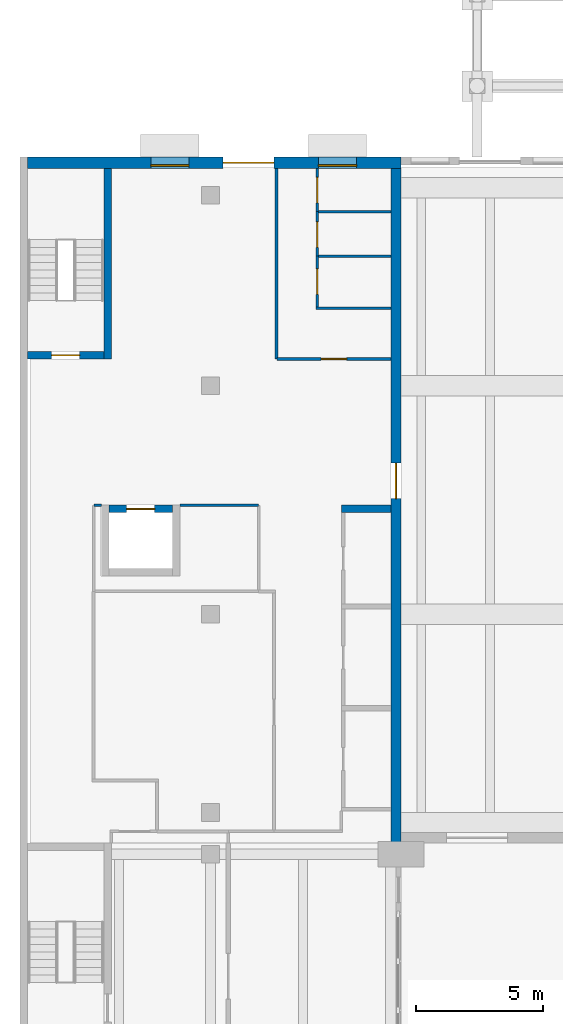
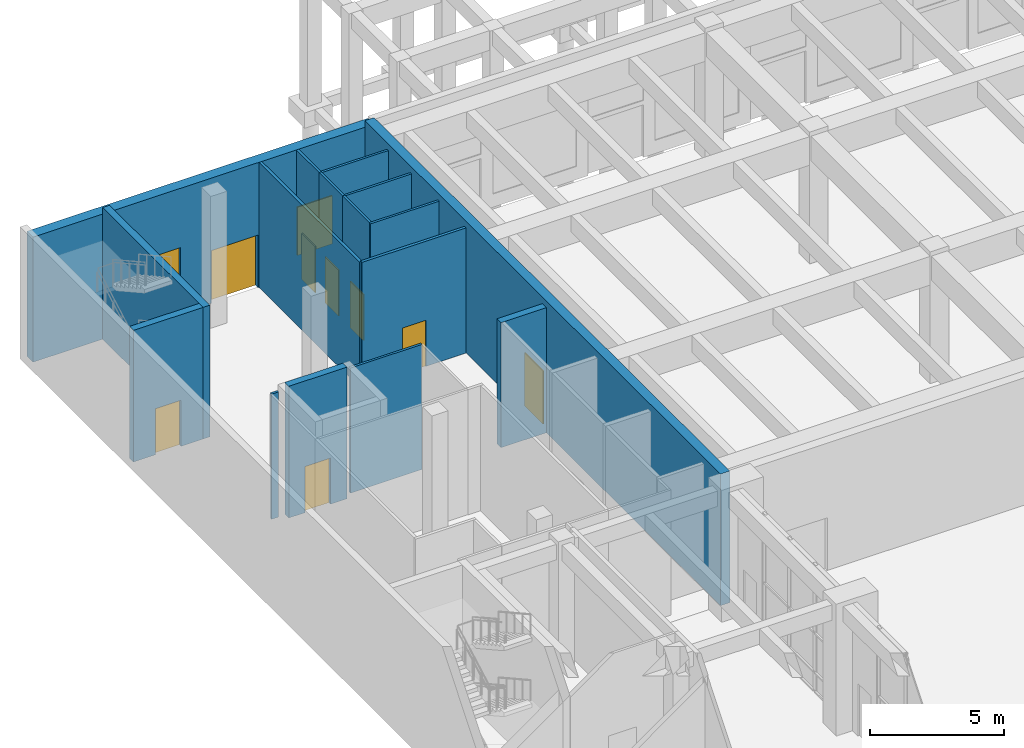
# One storey, part 38 of 51: 16 walls, 8 doors, 2 windows, 10 openings.
"""IFC4 building model written with IfcOpenShell, lengths in metres."""

from ifc_helpers import new_model, si_unit, direction, frame, frame_2d, origin, place, context, subcontext, project, spatial, rectangle, extrude, material, layer, layer_set, type_object, element, fill, save


model = new_model("IFC4")

# Units and contexts
model_context = context("Model", 3, precision=1e-05, world=origin(), true_north=direction((0.0, 1.0)))
body_context = subcontext(model_context, "Body", "Model", "MODEL_VIEW")
ifc_project = project(units=[si_unit("LENGTHUNIT", "METRE"), si_unit("AREAUNIT", "SQUARE_METRE"), si_unit("VOLUMEUNIT", "CUBIC_METRE"), si_unit("PLANEANGLEUNIT", "RADIAN"), si_unit("MASSUNIT", "GRAM", prefix="KILO")], contexts=[model_context])

# Site, building, storey
site_placement = place(None, origin())
site = spatial("IfcSite", under=ifc_project, at=site_placement, CompositionType="ELEMENT")
building_placement = place(site_placement, origin())
building = spatial("IfcBuilding", under=site, at=building_placement, Name="Elmora Arch Market Hall", CompositionType="ELEMENT")
storey_placement = place(building_placement, origin())
storey = spatial("IfcBuildingStorey", under=building, at=storey_placement, Name="L00", CompositionType="ELEMENT", Elevation=0.0)

# Wall
ifc_material_1 = material(Name="Blockwork", Category="masonry")
ifc_layer_1 = layer(ifc_material_1, 0.300048828125)
ifc_layer_set_1 = layer_set([ifc_layer_1], Name="Blockwork")
wall_type_1 = type_object("IfcWallType", Name="Blockwork partition 300 EI 120", PredefinedType="PARTITIONING", material=ifc_layer_set_1)
wall_1_placement = place(storey_placement, frame((12.64990234375, 112.14990234375, 0.0), z_axis=(0.0, 0.0, 1.0), x_axis=(1.0, 0.0, 0.0)))
element("IfcWall", 1, at=wall_1_placement, inside=storey, type_object=wall_type_1, Name="Riser wall L00 21", PredefinedType="PARTITIONING", context=body_context, shape_type="SweptSolid", body=[
    extrude(rectangle(XDim=1.9501953125, YDim=0.300048828125, at=frame_2d((0.97509765625, 0.0))), origin(), (0.0, 0.0, 1.0), 5.699951171875),
])

# Wall, openings, door, windows
ifc_material_2 = material(Name="Concrete C40/50", Category="concrete")
ifc_layer_2 = layer(ifc_material_2, 0.449951171875)
ifc_layer_set_2 = layer_set([ifc_layer_2], Name="Concrete C40/50")
wall_type_2 = type_object("IfcWallType", Name="Board-marked concrete wall 450", PredefinedType="SOLIDWALL", material=ifc_layer_set_2)
wall_2_placement = place(storey_placement, frame((0.300048828125, 125.77490234375, 0.0), z_axis=(0.0, 0.0, 1.0), x_axis=(1.0, 0.0, 0.0)))
wall_2 = element("IfcWall", 2, at=wall_2_placement, inside=storey, type_object=wall_type_2, Name="Facade wall north NW L00", PredefinedType="SOLIDWALL", context=body_context, shape_type="SweptSolid", body=[
    extrude(rectangle(XDim=14.699951171875, YDim=0.449951171875, at=frame_2d((7.35009765625, 0.0))), origin(), (0.0, 0.0, 1.0), 5.699951171875),
])
opening_1_placement = place(wall_2_placement, frame((4.85009765625, 0.0, 0.800048828125)))
opening_1 = element("IfcOpeningElement", 3, at=opening_1_placement, cuts=wall_2, Name="Opening WP2", PredefinedType="OPENING", context=body_context, shape_type="SweptSolid", body=[
    extrude(rectangle(XDim=1.5, YDim=2.199951171875, at=frame_2d((0.75, 1.10009765625))), frame((0.0, 0.23486328125, 0.0), z_axis=(0.0, -1.0, 0.0), x_axis=(1.0, 0.0, 0.0)), (0.0, 0.0, 1.0), 0.469970703125),
])
opening_2_placement = place(wall_2_placement, frame((11.449951171875, 0.0, 0.800048828125)))
opening_2 = element("IfcOpeningElement", 4, at=opening_2_placement, cuts=wall_2, Name="Opening WP2", PredefinedType="OPENING", context=body_context, shape_type="SweptSolid", body=[
    extrude(rectangle(XDim=1.5, YDim=2.199951171875, at=frame_2d((0.75, 1.10009765625))), frame((0.0, 0.23486328125, 0.0), z_axis=(0.0, -1.0, 0.0), x_axis=(1.0, 0.0, 0.0)), (0.0, 0.0, 1.0), 0.469970703125),
])
opening_3_placement = place(wall_2_placement, frame((7.699951171875, 0.0, 0.0)))
opening_3 = element("IfcOpeningElement", 5, at=opening_3_placement, cuts=wall_2, Name="Opening EX-PAV-W", PredefinedType="OPENING", context=body_context, shape_type="SweptSolid", body=[
    extrude(rectangle(XDim=2.0, YDim=2.39990234375, at=frame_2d((1.0, 1.199951171875))), frame((0.0, 0.23486328125, 0.0), z_axis=(0.0, -1.0, 0.0), x_axis=(1.0, 0.0, 0.0)), (0.0, 0.0, 1.0), 0.469970703125),
])
ifc_material_3 = material(Name="Glazed aluminium", Category="aluminium")
door_type_1 = type_object("IfcDoorType", Name="Pavilion entrance door 2000x2400", OperationType="DOUBLE_DOOR_DOUBLE_SWING", PredefinedType="DOOR", material=ifc_material_3)
door_1_placement = place(opening_3_placement, origin())
door_1 = element("IfcDoor", 6, at=door_1_placement, inside=storey, type_object=door_type_1, Name="Pavilion entrance W", OperationType="DOUBLE_DOOR_DOUBLE_SWING", OverallHeight=2.39990234375, OverallWidth=2.0, PredefinedType="DOOR", context=body_context, shape_type="SweptSolid", body=[
    extrude(rectangle(XDim=2.0, YDim=2.39990234375, at=frame_2d((1.0, 1.199951171875))), frame((0.0, 0.02490234375, 0.0), z_axis=(0.0, -1.0, 0.0), x_axis=(1.0, 0.0, 0.0)), (0.0, 0.0, 1.0), 0.050048828125),
])
fill(opening_3, door_1)
ifc_material_4 = material(Name="Aluminium", Category="aluminium")
window_type = type_object("IfcWindowType", Name="Pavilion window 1500x2200", PartitioningType="SINGLE_PANEL", PredefinedType="WINDOW", material=ifc_material_4)
window_1_placement = place(opening_1_placement, origin())
window_1 = element("IfcWindow", 7, at=window_1_placement, inside=storey, type_object=window_type, Name="Window WP2 L00 N31", OverallHeight=2.199951171875, OverallWidth=1.5, PartitioningType="SINGLE_PANEL", PredefinedType="WINDOW", context=body_context, shape_type="SweptSolid", body=[
    extrude(rectangle(XDim=1.5, YDim=2.199951171875, at=frame_2d((0.75, 1.10009765625))), frame((0.0, -0.074951171875, 0.0), z_axis=(0.0, -1.0, 0.0), x_axis=(1.0, 0.0, 0.0)), (0.0, 0.0, 1.0), 0.06005859375),
])
fill(opening_1, window_1)
window_2_placement = place(opening_2_placement, origin())
window_2 = element("IfcWindow", 8, at=window_2_placement, inside=storey, type_object=window_type, Name="Window WP2 L00 N32", OverallHeight=2.199951171875, OverallWidth=1.5, PartitioningType="SINGLE_PANEL", PredefinedType="WINDOW", context=body_context, shape_type="SweptSolid", body=[
    extrude(rectangle(XDim=1.5, YDim=2.199951171875, at=frame_2d((0.75, 1.10009765625))), frame((0.0, -0.074951171875, 0.0), z_axis=(0.0, -1.0, 0.0), x_axis=(1.0, 0.0, 0.0)), (0.0, 0.0, 1.0), 0.06005859375),
])
fill(opening_2, window_2)

# Wall, opening, door
ifc_material_5 = material(Name="Concrete C40/50", Category="concrete")
ifc_layer_3 = layer(ifc_material_5, 0.300048828125)
ifc_layer_set_3 = layer_set([ifc_layer_3], Name="Concrete C40/50")
wall_type_3 = type_object("IfcWallType", Name="Lift shaft wall 300", PredefinedType="SHEAR", material=ifc_layer_set_3)
wall_3_placement = place(storey_placement, frame((3.5, 112.14990234375, 0.0), z_axis=(0.0, 0.0, 1.0), x_axis=(1.0, 0.0, 0.0)))
wall_3 = element("IfcWall", 9, at=wall_3_placement, inside=storey, type_object=wall_type_3, Name="Lift shaft wall PL1 N L00", PredefinedType="SHEAR", context=body_context, shape_type="SweptSolid", body=[
    extrude(rectangle(XDim=2.5, YDim=0.300048828125, at=frame_2d((1.25, 0.0))), origin(), (0.0, 0.0, 1.0), 6.0),
])
opening_4_placement = place(wall_3_placement, frame((0.699951171875, 0.0, 0.0)))
opening_4 = element("IfcOpeningElement", 10, at=opening_4_placement, cuts=wall_3, Name="Opening LD-PL1-L00", PredefinedType="OPENING", context=body_context, shape_type="SweptSolid", body=[
    extrude(rectangle(XDim=1.10009765625, YDim=2.10009765625, at=frame_2d((0.550048828125, 1.050048828125))), frame((0.0, 0.159912109375, 0.0), z_axis=(0.0, -1.0, 0.0), x_axis=(1.0, 0.0, 0.0)), (0.0, 0.0, 1.0), 0.320068359375),
])
ifc_material_6 = material(Name="Stainless steel ASTM A240 Type 304", Category="steel")
door_type_2 = type_object("IfcDoorType", Name="Lift landing door 1100 x 2100 FD90", OperationType="SLIDING_TO_LEFT", PredefinedType="DOOR", material=ifc_material_6)
door_2_placement = place(opening_4_placement, origin())
door_2 = element("IfcDoor", 11, at=door_2_placement, inside=storey, type_object=door_type_2, Name="Landing door PL1 L00", OperationType="SLIDING_TO_LEFT", OverallHeight=2.10009765625, OverallWidth=1.10009765625, PredefinedType="DOOR", context=body_context, shape_type="SweptSolid", body=[
    extrude(rectangle(XDim=1.10009765625, YDim=2.10009765625, at=frame_2d((0.550048828125, 1.050048828125))), frame((0.0, 0.02490234375, 0.0), z_axis=(0.0, -1.0, 0.0), x_axis=(1.0, 0.0, 0.0)), (0.0, 0.0, 1.0), 0.050048828125),
])
fill(opening_4, door_2)

# Walls
ifc_material_7 = material(Name="Gypsum board on metal studs")
ifc_layer_4 = layer(ifc_material_7, 0.10009765625)
ifc_layer_set_4 = layer_set([ifc_layer_4], Name="Gypsum board on metal studs")
wall_type_4 = type_object("IfcWallType", Name="Partition 100", PredefinedType="PARTITIONING", material=ifc_layer_set_4)
wall_4_placement = place(storey_placement, frame((2.909912109375, 112.300048828125, 0.0), z_axis=(0.0, 0.0, 1.0), x_axis=(1.0, 0.0, 0.0)))
element("IfcWall", 12, at=wall_4_placement, inside=storey, type_object=wall_type_4, Name="Partition PT-L00-103", PredefinedType="PARTITIONING", context=body_context, shape_type="SweptSolid", body=[
    extrude(rectangle(XDim=0.2900390625, YDim=0.10009765625, at=frame_2d((0.14501953125, 0.0))), origin(), (0.0, 0.0, 1.0), 5.699951171875),
])
wall_5_placement = place(storey_placement, frame((6.300048828125, 112.300048828125, 0.0), z_axis=(0.0, 0.0, 1.0), x_axis=(1.0, 0.0, 0.0)))
element("IfcWall", 13, at=wall_5_placement, inside=storey, type_object=wall_type_4, Name="Partition PT-L00-104", PredefinedType="PARTITIONING", context=body_context, shape_type="SweptSolid", body=[
    extrude(rectangle(XDim=3.08984375, YDim=0.10009765625, at=frame_2d((1.544921875, 0.0))), origin(), (0.0, 0.0, 1.0), 5.699951171875),
])
wall_6_placement = place(storey_placement, frame((11.64990234375, 120.050048828125, 0.0), z_axis=(0.0, 0.0, 1.0), x_axis=(1.0, 0.0, 0.0)))
element("IfcWall", 14, at=wall_6_placement, inside=storey, type_object=wall_type_4, Name="Partition PT-L00-108", PredefinedType="PARTITIONING", context=body_context, shape_type="SweptSolid", body=[
    extrude(rectangle(XDim=2.9501953125, YDim=0.10009765625, at=frame_2d((1.47509765625, 0.0))), origin(), (0.0, 0.0, 1.0), 5.699951171875),
])
for number, where, z_axis, x_axis, name in (
    (15, (11.75, 122.10009765625, 0.0), (0.0, 0.0, 1.0), (1.0, 0.0, 0.0), "Partition PT-L00-110"),
    (16, (11.75, 123.85009765625, 0.0), (0.0, 0.0, 1.0), (1.0, 0.0, 0.0), "Partition PT-L00-112"),
):
    element("IfcWall", number, at=place(storey_placement, frame(where, z_axis=z_axis, x_axis=x_axis)), inside=storey, type_object=wall_type_4, Name=name, PredefinedType="PARTITIONING", context=body_context, shape_type="SweptSolid", body=[
        extrude(rectangle(XDim=2.85009765625, YDim=0.10009765625, at=frame_2d((1.425048828125, 0.0))), origin(), (0.0, 0.0, 1.0), 5.699951171875),
    ])

# Wall, opening, door
wall_7_placement = place(storey_placement, frame((11.699951171875, 120.10009765625, 0.0), z_axis=(0.0, 0.0, 1.0), x_axis=(0.0, 1.0, 0.0)))
wall_7 = element("IfcWall", 17, at=wall_7_placement, inside=storey, type_object=wall_type_4, Name="Partition PT-L00-168", PredefinedType="PARTITIONING", context=body_context, shape_type="SweptSolid", body=[
    extrude(rectangle(XDim=2.0, YDim=0.10009765625, at=frame_2d((1.0, 0.0))), origin(), (0.0, 0.0, 1.0), 5.699951171875),
])
opening_5_placement = place(wall_7_placement, frame((0.5, 0.0, 0.0)))
opening_5 = element("IfcOpeningElement", 18, at=opening_5_placement, cuts=wall_7, Name="Opening D-L00-089", PredefinedType="OPENING", context=body_context, shape_type="SweptSolid", body=[
    extrude(rectangle(XDim=1.0, YDim=2.10009765625, at=frame_2d((0.5, 1.050048828125))), frame((0.0, 0.06005859375, 0.0), z_axis=(0.0, -1.0, 0.0), x_axis=(1.0, 0.0, 0.0)), (0.0, 0.0, 1.0), 0.1201171875),
])
ifc_material_8 = material(Name="Timber door set", Category="wood")
door_type_3 = type_object("IfcDoorType", Name="Door 1000 x 2100", OperationType="SINGLE_SWING_LEFT", PredefinedType="DOOR", material=ifc_material_8)
door_3_placement = place(opening_5_placement, frame((1.0, 0.0, 0.0), z_axis=(0.0, 0.0, 1.0), x_axis=(-1.0, 0.0, 0.0)))
door_3 = element("IfcDoor", 19, at=door_3_placement, inside=storey, type_object=door_type_3, Name="D-L00-089", OperationType="SINGLE_SWING_LEFT", OverallHeight=2.10009765625, OverallWidth=1.0, PredefinedType="DOOR", context=body_context, shape_type="SweptSolid", body=[
    extrude(rectangle(XDim=1.0, YDim=2.10009765625, at=frame_2d((0.5, 1.050048828125))), frame((0.0, 0.02490234375, 0.0), z_axis=(0.0, -1.0, 0.0), x_axis=(1.0, 0.0, 0.0)), (0.0, 0.0, 1.0), 0.050048828125),
])
fill(opening_5, door_3)

wall_8_placement = place(storey_placement, frame((11.699951171875, 122.10009765625, 0.0), z_axis=(0.0, 0.0, 1.0), x_axis=(0.0, 1.0, 0.0)))
wall_8 = element("IfcWall", 20, at=wall_8_placement, inside=storey, type_object=wall_type_4, Name="Partition PT-L00-169", PredefinedType="PARTITIONING", context=body_context, shape_type="SweptSolid", body=[
    extrude(rectangle(XDim=1.75, YDim=0.10009765625, at=frame_2d((0.875, 0.0))), origin(), (0.0, 0.0, 1.0), 5.699951171875),
])
opening_6_placement = place(wall_8_placement, frame((0.35009765625, 0.0, 0.0)))
opening_6 = element("IfcOpeningElement", 21, at=opening_6_placement, cuts=wall_8, Name="Opening D-L00-091", PredefinedType="OPENING", context=body_context, shape_type="SweptSolid", body=[
    extrude(rectangle(XDim=1.0, YDim=2.10009765625, at=frame_2d((0.5, 1.050048828125))), frame((0.0, 0.06005859375, 0.0), z_axis=(0.0, -1.0, 0.0), x_axis=(1.0, 0.0, 0.0)), (0.0, 0.0, 1.0), 0.1201171875),
])
door_4_placement = place(opening_6_placement, frame((1.0, 0.0, 0.0), z_axis=(0.0, 0.0, 1.0), x_axis=(-1.0, 0.0, 0.0)))
door_4 = element("IfcDoor", 22, at=door_4_placement, inside=storey, type_object=door_type_3, Name="D-L00-091", OperationType="SINGLE_SWING_RIGHT", OverallHeight=2.10009765625, OverallWidth=1.0, PredefinedType="DOOR", context=body_context, shape_type="SweptSolid", body=[
    extrude(rectangle(XDim=1.0, YDim=2.10009765625, at=frame_2d((0.5, 1.050048828125))), frame((0.0, 0.02490234375, 0.0), z_axis=(0.0, -1.0, 0.0), x_axis=(1.0, 0.0, 0.0)), (0.0, 0.0, 1.0), 0.050048828125),
])
fill(opening_6, door_4)

wall_9_placement = place(storey_placement, frame((11.699951171875, 123.85009765625, 0.0), z_axis=(0.0, 0.0, 1.0), x_axis=(0.0, 1.0, 0.0)))
wall_9 = element("IfcWall", 23, at=wall_9_placement, inside=storey, type_object=wall_type_4, Name="Partition PT-L00-170", PredefinedType="PARTITIONING", context=body_context, shape_type="SweptSolid", body=[
    extrude(rectangle(XDim=1.699951171875, YDim=0.10009765625, at=frame_2d((0.85009765625, 0.0))), origin(), (0.0, 0.0, 1.0), 5.699951171875),
])
opening_7_placement = place(wall_9_placement, frame((0.35009765625, 0.0, 0.0)))
opening_7 = element("IfcOpeningElement", 24, at=opening_7_placement, cuts=wall_9, Name="Opening D-L00-093", PredefinedType="OPENING", context=body_context, shape_type="SweptSolid", body=[
    extrude(rectangle(XDim=1.0, YDim=2.10009765625, at=frame_2d((0.5, 1.050048828125))), frame((0.0, 0.06005859375, 0.0), z_axis=(0.0, -1.0, 0.0), x_axis=(1.0, 0.0, 0.0)), (0.0, 0.0, 1.0), 0.1201171875),
])
door_5_placement = place(opening_7_placement, frame((1.0, 0.0, 0.0), z_axis=(0.0, 0.0, 1.0), x_axis=(-1.0, 0.0, 0.0)))
door_5 = element("IfcDoor", 25, at=door_5_placement, inside=storey, type_object=door_type_3, Name="D-L00-093", OperationType="SINGLE_SWING_RIGHT", OverallHeight=2.10009765625, OverallWidth=1.0, PredefinedType="DOOR", context=body_context, shape_type="SweptSolid", body=[
    extrude(rectangle(XDim=1.0, YDim=2.10009765625, at=frame_2d((0.5, 1.050048828125))), frame((0.0, 0.02490234375, 0.0), z_axis=(0.0, -1.0, 0.0), x_axis=(1.0, 0.0, 0.0)), (0.0, 0.0, 1.0), 0.050048828125),
])
fill(opening_7, door_5)

ifc_material_9 = material(Name="Gypsum board on metal studs")
ifc_layer_5 = layer(ifc_material_9, 0.125)
ifc_layer_set_5 = layer_set([ifc_layer_5], Name="Gypsum board on metal studs")
wall_type_5 = type_object("IfcWallType", Name="Partition 125 EI 60", PredefinedType="PARTITIONING", material=ifc_layer_set_5)
wall_10_placement = place(storey_placement, frame((10.110107421875, 118.050048828125, 0.0), z_axis=(0.0, 0.0, 1.0), x_axis=(1.0, 0.0, 0.0)))
wall_10 = element("IfcWall", 26, at=wall_10_placement, inside=storey, type_object=wall_type_5, Name="Partition PT-L00-106", PredefinedType="PARTITIONING", context=body_context, shape_type="SweptSolid", body=[
    extrude(rectangle(XDim=4.489990234375, YDim=0.125, at=frame_2d((2.2451171875, 0.0))), origin(), (0.0, 0.0, 1.0), 5.699951171875),
])
opening_8_placement = place(wall_10_placement, frame((1.75, 0.0, 0.0)))
opening_8 = element("IfcOpeningElement", 27, at=opening_8_placement, cuts=wall_10, Name="Opening D-L00-087", PredefinedType="OPENING", context=body_context, shape_type="SweptSolid", body=[
    extrude(rectangle(XDim=1.0, YDim=2.10009765625, at=frame_2d((0.5, 1.050048828125))), frame((0.0, 0.072509765625, 0.0), z_axis=(0.0, -1.0, 0.0), x_axis=(1.0, 0.0, 0.0)), (0.0, 0.0, 1.0), 0.14501953125),
])
ifc_material_10 = material(Name="Steel ASTM A653 galvanised", Category="steel")
door_type_4 = type_object("IfcDoorType", Name="Door 1000 x 2100 FD20", OperationType="SINGLE_SWING_LEFT", PredefinedType="DOOR", material=ifc_material_10)
door_6_placement = place(opening_8_placement, origin())
door_6 = element("IfcDoor", 28, at=door_6_placement, inside=storey, type_object=door_type_4, Name="D-L00-087", OperationType="SINGLE_SWING_LEFT", OverallHeight=2.10009765625, OverallWidth=1.0, PredefinedType="DOOR", context=body_context, shape_type="SweptSolid", body=[
    extrude(rectangle(XDim=1.0, YDim=2.10009765625, at=frame_2d((0.5, 1.050048828125))), frame((0.0, 0.02490234375, 0.0), z_axis=(0.0, -1.0, 0.0), x_axis=(1.0, 0.0, 0.0)), (0.0, 0.0, 1.0), 0.050048828125),
])
fill(opening_8, door_6)

# Wall
wall_11_placement = place(storey_placement, frame((10.10009765625, 118.06005859375, 0.0), z_axis=(0.0, 0.0, 1.0), x_axis=(0.0, 1.0, 0.0)))
element("IfcWall", 29, at=wall_11_placement, inside=storey, type_object=wall_type_5, Name="Partition PT-L00-167", PredefinedType="PARTITIONING", context=body_context, shape_type="SweptSolid", body=[
    extrude(rectangle(XDim=7.489990234375, YDim=0.125, at=frame_2d((3.7451171875, 0.0))), origin(), (0.0, 0.0, 1.0), 5.699951171875),
])

# Wall, opening, door
ifc_material_11 = material(Name="Concrete C40/50", Category="concrete")
ifc_layer_6 = layer(ifc_material_11, 0.39990234375)
ifc_layer_set_6 = layer_set([ifc_layer_6], Name="Concrete C40/50")
wall_type_6 = type_object("IfcWallType", Name="Spine wall 400", PredefinedType="SHEAR", material=ifc_layer_set_6)
wall_12_placement = place(storey_placement, frame((14.800048828125, 99.0, 0.0), z_axis=(0.0, 0.0, 1.0), x_axis=(0.0, 1.0, 0.0)))
wall_12 = element("IfcWall", 30, at=wall_12_placement, inside=storey, type_object=wall_type_6, Name="Spine wall W L00", PredefinedType="SHEAR", context=body_context, shape_type="SweptSolid", body=[
    extrude(rectangle(XDim=26.550048828125, YDim=0.39990234375, at=frame_2d((13.27490234375, 0.0))), origin(), (0.0, 0.0, 1.0), 6.0),
])
opening_9_placement = place(wall_12_placement, frame((13.550048828125, 0.0, 0.0)))
opening_9 = element("IfcOpeningElement", 31, at=opening_9_placement, cuts=wall_12, Name="Opening D-L00-085", PredefinedType="OPENING", context=body_context, shape_type="SweptSolid", body=[
    extrude(rectangle(XDim=1.39990234375, YDim=2.39990234375, at=frame_2d((0.699951171875, 1.199951171875))), frame((0.0, 0.2099609375, 0.0), z_axis=(0.0, -1.0, 0.0), x_axis=(1.0, 0.0, 0.0)), (0.0, 0.0, 1.0), 0.419921875),
])
ifc_material_12 = material(Name="Timber door set", Category="wood")
door_type_5 = type_object("IfcDoorType", Name="Door 1400 x 2400", OperationType="SINGLE_SWING_LEFT", PredefinedType="DOOR", material=ifc_material_12)
door_7_placement = place(opening_9_placement, frame((1.39990234375, 0.0, 0.0), z_axis=(0.0, 0.0, 1.0), x_axis=(-1.0, 0.0, 0.0)))
door_7 = element("IfcDoor", 32, at=door_7_placement, inside=storey, type_object=door_type_5, Name="D-L00-085", OperationType="SINGLE_SWING_LEFT", OverallHeight=2.39990234375, OverallWidth=1.39990234375, PredefinedType="DOOR", context=body_context, shape_type="SweptSolid", body=[
    extrude(rectangle(XDim=1.39990234375, YDim=2.39990234375, at=frame_2d((0.699951171875, 1.199951171875))), frame((0.0, 0.02490234375, 0.0), z_axis=(0.0, -1.0, 0.0), x_axis=(1.0, 0.0, 0.0)), (0.0, 0.0, 1.0), 0.050048828125),
])
fill(opening_9, door_7)

# Wall
ifc_material_13 = material(Name="Concrete C40/50", Category="concrete")
ifc_layer_7 = layer(ifc_material_13, 0.300048828125)
ifc_layer_set_7 = layer_set([ifc_layer_7], Name="Concrete C40/50")
wall_type_7 = type_object("IfcWallType", Name="Stair wall 300", PredefinedType="SHEAR", material=ifc_layer_set_7)
wall_13_placement = place(storey_placement, frame((3.449951171875, 118.050048828125, 0.0), z_axis=(0.0, 0.0, 1.0), x_axis=(0.0, 1.0, 0.0)))
element("IfcWall", 33, at=wall_13_placement, inside=storey, type_object=wall_type_7, Name="Stair wall ST-W E L00", PredefinedType="SHEAR", context=body_context, shape_type="SweptSolid", body=[
    extrude(rectangle(XDim=7.5, YDim=0.300048828125, at=frame_2d((3.75, 0.0))), origin(), (0.0, 0.0, 1.0), 6.0),
])

# Wall, opening, door
wall_14_placement = place(storey_placement, frame((0.300048828125, 118.199951171875, 0.0), z_axis=(0.0, 0.0, 1.0), x_axis=(1.0, 0.0, 0.0)))
wall_14 = element("IfcWall", 34, at=wall_14_placement, inside=storey, type_object=wall_type_7, Name="Stair wall ST-W S L00", PredefinedType="SHEAR", context=body_context, shape_type="SweptSolid", body=[
    extrude(rectangle(XDim=3.0, YDim=0.300048828125, at=frame_2d((1.5, 0.0))), origin(), (0.0, 0.0, 1.0), 6.0),
])
opening_10_placement = place(wall_14_placement, frame((0.949951171875, 0.0, 0.0)))
opening_10 = element("IfcOpeningElement", 35, at=opening_10_placement, cuts=wall_14, Name="Opening ST-W-L00", PredefinedType="OPENING", context=body_context, shape_type="SweptSolid", body=[
    extrude(rectangle(XDim=1.10009765625, YDim=2.10009765625, at=frame_2d((0.550048828125, 1.050048828125))), frame((0.0, 0.159912109375, 0.0), z_axis=(0.0, -1.0, 0.0), x_axis=(1.0, 0.0, 0.0)), (0.0, 0.0, 1.0), 0.320068359375),
])
ifc_material_14 = material(Name="Steel ASTM A653 galvanised", Category="steel")
door_type_6 = type_object("IfcDoorType", Name="Stair door 1100 x 2100 FD90", OperationType="SINGLE_SWING_LEFT", PredefinedType="DOOR", material=ifc_material_14)
door_8_placement = place(opening_10_placement, origin())
door_8 = element("IfcDoor", 36, at=door_8_placement, inside=storey, type_object=door_type_6, Name="Stair door ST-W L00", OperationType="SINGLE_SWING_LEFT", OverallHeight=2.10009765625, OverallWidth=1.10009765625, PredefinedType="DOOR", context=body_context, shape_type="SweptSolid", body=[
    extrude(rectangle(XDim=1.10009765625, YDim=2.10009765625, at=frame_2d((0.550048828125, 1.050048828125))), frame((0.0, 0.02490234375, 0.0), z_axis=(0.0, -1.0, 0.0), x_axis=(1.0, 0.0, 0.0)), (0.0, 0.0, 1.0), 0.050048828125),
])
fill(opening_10, door_8)

save(model, "model.ifc")
